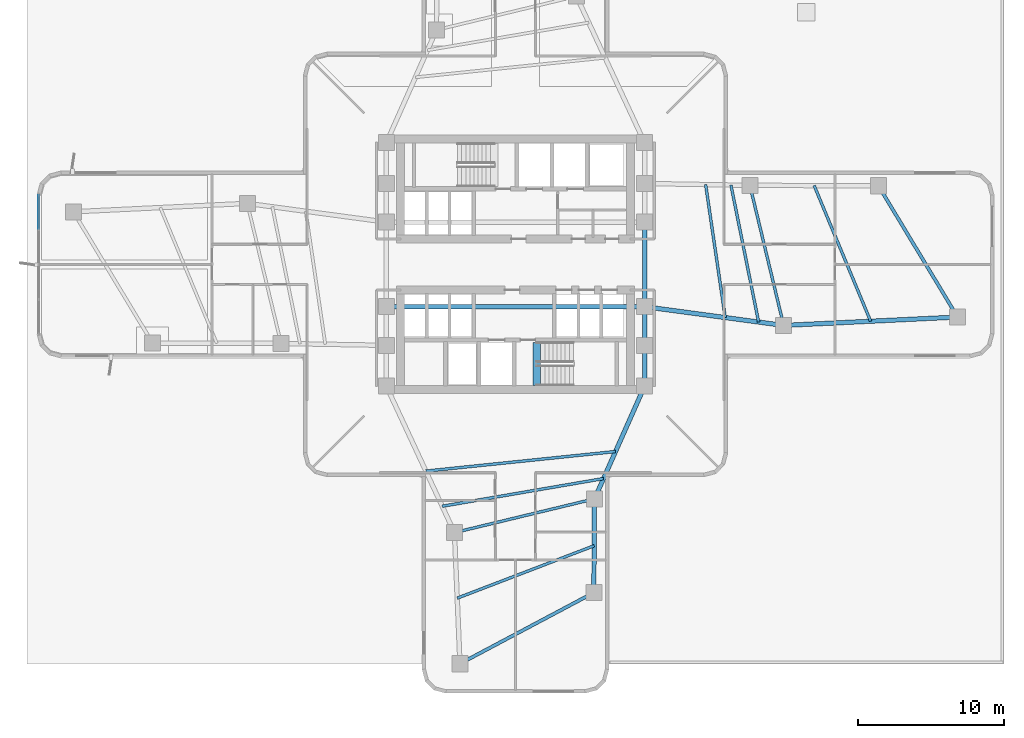
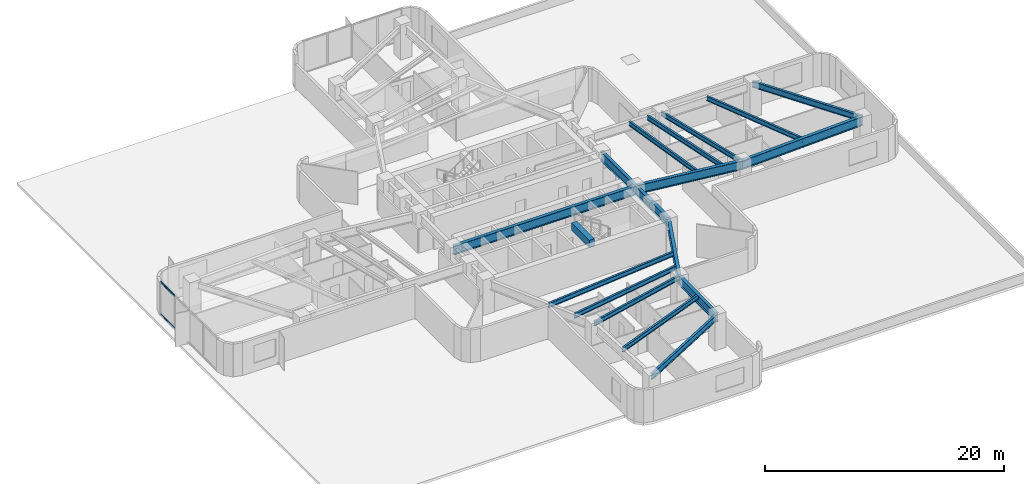
# One storey, part 3 of 14: 19 beams, 2 members, 1 element without a shape of its own.
"""IFC4 building model written with IfcOpenShell, lengths in metres."""

from ifc_helpers import new_model, si_unit, direction, frame, origin, origin_2d, place, context, subcontext, project, spatial, rectangle, i_section, extrude, material, layer, layer_set, material_profile, profile_set, type_object, element, aggregate, save


model = new_model("IFC4")

# Units and contexts
model_context = context("Model", 3, precision=1e-05, world=origin(), true_north=direction((0.0, 1.0)))
body_context = subcontext(model_context, "Body", "Model", "MODEL_VIEW")
ifc_project = project(units=[si_unit("LENGTHUNIT", "METRE"), si_unit("AREAUNIT", "SQUARE_METRE"), si_unit("VOLUMEUNIT", "CUBIC_METRE"), si_unit("PLANEANGLEUNIT", "RADIAN"), si_unit("MASSUNIT", "GRAM", prefix="KILO")], contexts=[model_context])

# Site, building, storey
site_placement = place(None, origin())
site = spatial("IfcSite", under=ifc_project, at=site_placement, CompositionType="ELEMENT")
building_placement = place(site_placement, origin())
building = spatial("IfcBuilding", under=site, at=building_placement, Name="Solmarez Civic Tower", CompositionType="ELEMENT")
storey_placement = place(building_placement, frame((0.0, 0.0, 24.47998046875)))
storey = spatial("IfcBuildingStorey", under=building, at=storey_placement, Name="L05", CompositionType="ELEMENT", Elevation=24.47998046875)

# Beams
ifc_material_1 = material(Name="Steel S355", Category="steel")
ifc_material_profile_1 = material_profile(ifc_material_1, i_section(OverallWidth=0.19189453125, OverallDepth=0.462890625, WebThickness=0.010498046875, FlangeThickness=0.017578125, at=origin_2d()), Name="W18X60")
ifc_profile_set_1 = profile_set([ifc_material_profile_1], Name="Steel S355")
beam_type_1 = type_object("IfcBeamType", Name="BM-JS-W18X60", PredefinedType="JOIST", material=ifc_profile_set_1)
beam_1_placement = place(storey_placement, frame((18.39111328125, -4.18408203125, 3.10791015625), z_axis=(-0.234328919867, 0.97215737271, 0.0), x_axis=(-0.97215737271, -0.234328919867, 0.0)))
element("IfcBeam", 1, at=beam_1_placement, inside=storey, type_object=beam_type_1, Name="L05 Secondary Floor Joist BM-L05-EA-T1", PredefinedType="JOIST", context=body_context, shape_type="SweptSolid", body=[
    extrude(i_section(OverallWidth=0.19189453125, OverallDepth=0.462890625, WebThickness=0.010498046875, FlangeThickness=0.017578125, at=origin_2d()), origin(), (0.0, 0.0, 1.0), 9.880126953125),
])
beam_2_placement = place(storey_placement, frame((24.35498046875, -3.89697265625, 3.10791015625), z_axis=(-0.384310898391, 0.923203733408, 0.0), x_axis=(-0.923203733408, -0.384310898391, 0.0)))
element("IfcBeam", 2, at=beam_2_placement, inside=storey, type_object=beam_type_1, Name="L05 Secondary Floor Joist JS-L05-EA-M2", PredefinedType="JOIST", context=body_context, shape_type="SweptSolid", body=[
    extrude(i_section(OverallWidth=0.19189453125, OverallDepth=0.462890625, WebThickness=0.010498046875, FlangeThickness=0.017578125, at=origin_2d()), origin(), (0.0, 0.0, 1.0), 10.077880859375),
])
beam_3_placement = place(storey_placement, frame((14.384033203125, -3.64501953125, 3.10791015625), z_axis=(-0.145687649447, 0.989330636743, 0.0), x_axis=(-0.989330636743, -0.145687649447, 0.0)))
element("IfcBeam", 3, at=beam_3_placement, inside=storey, type_object=beam_type_1, Name="L05 Secondary Floor Joist JS-L05-EA-M11", PredefinedType="JOIST", context=body_context, shape_type="SweptSolid", body=[
    extrude(i_section(OverallWidth=0.19189453125, OverallDepth=0.462890625, WebThickness=0.010498046875, FlangeThickness=0.017578125, at=origin_2d()), origin(), (0.0, 0.0, 1.0), 9.218505859375),
])
beam_4_placement = place(storey_placement, frame((16.674072265625, -3.952880859375, 3.10791015625), z_axis=(-0.198099134772, 0.980181989634, 0.0), x_axis=(-0.980181989634, -0.198099134772, 0.0)))
element("IfcBeam", 4, at=beam_4_placement, inside=storey, type_object=beam_type_1, Name="L05 Secondary Floor Joist JS-L05-EA-M12", PredefinedType="JOIST", context=body_context, shape_type="SweptSolid", body=[
    extrude(i_section(OverallWidth=0.19189453125, OverallDepth=0.462890625, WebThickness=0.010498046875, FlangeThickness=0.017578125, at=origin_2d()), origin(), (0.0, 0.0, 1.0), 9.5869140625),
])
beam_5_placement = place(storey_placement, frame((-4.18408203125, -18.39111328125, 3.10791015625), z_axis=(0.97215737271, 0.234328919867, 0.0), x_axis=(-0.234328919867, 0.97215737271, 0.0)))
element("IfcBeam", 5, at=beam_5_placement, inside=storey, type_object=beam_type_1, Name="L05 Secondary Floor Joist BM-L05-SA-T1", PredefinedType="JOIST", context=body_context, shape_type="SweptSolid", body=[
    extrude(i_section(OverallWidth=0.19189453125, OverallDepth=0.462890625, WebThickness=0.010498046875, FlangeThickness=0.017578125, at=origin_2d()), origin(), (0.0, 0.0, 1.0), 9.880126953125),
])
beam_6_placement = place(storey_placement, frame((-3.9951171875, -22.886962890625, 3.10791015625), z_axis=(0.933878315551, 0.357590955903, 0.0), x_axis=(-0.357590955903, 0.933878315551, 0.0)))
element("IfcBeam", 6, at=beam_6_placement, inside=storey, type_object=beam_type_1, Name="L05 Secondary Floor Joist JS-L05-SA-M2", PredefinedType="JOIST", context=body_context, shape_type="SweptSolid", body=[
    extrude(i_section(OverallWidth=0.19189453125, OverallDepth=0.462890625, WebThickness=0.010498046875, FlangeThickness=0.017578125, at=origin_2d()), origin(), (0.0, 0.0, 1.0), 10.05615234375),
])
beam_7_placement = place(storey_placement, frame((-6.14404296875, -14.174072265625, 3.10791015625), z_axis=(0.9947100999, 0.102722038325, 0.0), x_axis=(-0.102722038325, 0.9947100999, 0.0)))
element("IfcBeam", 7, at=beam_7_placement, inside=storey, type_object=beam_type_1, Name="L05 Secondary Floor Joist JS-L05-SA-M11", PredefinedType="JOIST", context=body_context, shape_type="SweptSolid", body=[
    extrude(i_section(OverallWidth=0.19189453125, OverallDepth=0.462890625, WebThickness=0.010498046875, FlangeThickness=0.017578125, at=origin_2d()), origin(), (0.0, 0.0, 1.0), 13.07421875),
])
beam_8_placement = place(storey_placement, frame((-5.02392578125, -16.583984375, 3.10791015625), z_axis=(0.985583934907, 0.169187195889, 0.0), x_axis=(-0.169187195889, 0.985583934907, 0.0)))
element("IfcBeam", 8, at=beam_8_placement, inside=storey, type_object=beam_type_1, Name="L05 Secondary Floor Joist JS-L05-SA-M12", PredefinedType="JOIST", context=body_context, shape_type="SweptSolid", body=[
    extrude(i_section(OverallWidth=0.19189453125, OverallDepth=0.462890625, WebThickness=0.010498046875, FlangeThickness=0.017578125, at=origin_2d()), origin(), (0.0, 0.0, 1.0), 11.223876953125),
])
ifc_material_2 = material(Name="Concrete C50/60", Category="concrete")
ifc_material_profile_2 = material_profile(ifc_material_2, rectangle(XDim=0.5, YDim=0.75, at=origin_2d()), Name="RC500X750")
ifc_profile_set_2 = profile_set([ifc_material_profile_2], Name="Concrete C50/60")
beam_type_2 = type_object("IfcBeamType", Name="BM-PR-RC500X750", PredefinedType="BEAM", material=ifc_profile_set_2)
beam_9_placement = place(storey_placement, frame((1.449951171875, -8.300048828125, 3.23291015625), z_axis=(0.0, 1.0, 0.0), x_axis=(-1.0, 0.0, 0.0)))
element("IfcBeam", 9, at=beam_9_placement, inside=storey, type_object=beam_type_2, Name="L05 South Stair Threshold Beam", PredefinedType="BEAM", context=body_context, shape_type="SweptSolid", body=[
    extrude(rectangle(XDim=0.5, YDim=0.75, at=origin_2d()), origin(), (0.0, 0.0, 1.0), 2.9599609375),
])
ifc_material_profile_3 = material_profile(ifc_material_1, i_section(OverallWidth=0.303955078125, OverallDepth=0.910888671875, WebThickness=0.015869140625, FlangeThickness=0.02392578125, at=origin_2d()), Name="W36X150")
ifc_profile_set_3 = profile_set([ifc_material_profile_3], Name="Steel S355")
beam_type_3 = type_object("IfcBeamType", Name="BM-PR-W36X150", PredefinedType="BEAM", material=ifc_profile_set_3)
beam_10_placement = place(storey_placement, frame((8.85009765625, -2.89990234375, 2.884033203125), z_axis=(0.991063240718, -0.133392851745, 0.0), x_axis=(0.133392851745, 0.991063240718, 0.0)))
element("IfcBeam", 10, at=beam_10_placement, inside=storey, type_object=beam_type_3, Name="L05 Primary Floor Beam BM-L05-EA-R1A", PredefinedType="BEAM", context=body_context, shape_type="SweptSolid", body=[
    extrude(i_section(OverallWidth=0.303955078125, OverallDepth=0.910888671875, WebThickness=0.015869140625, FlangeThickness=0.02392578125, at=origin_2d()), origin(), (0.0, 0.0, 1.0), 9.626953125),
])
beam_11_placement = place(storey_placement, frame((18.39111328125, -4.18408203125, 2.884033203125), z_axis=(0.998839135977, 0.048170327398, 0.0), x_axis=(-0.048170327398, 0.998839135977, 0.0)))
element("IfcBeam", 11, at=beam_11_placement, inside=storey, type_object=beam_type_3, Name="L05 Primary Floor Beam BM-L05-EA-R2A", PredefinedType="BEAM", context=body_context, shape_type="SweptSolid", body=[
    extrude(i_section(OverallWidth=0.303955078125, OverallDepth=0.910888671875, WebThickness=0.015869140625, FlangeThickness=0.02392578125, at=origin_2d()), origin(), (0.0, 0.0, 1.0), 11.94091796875),
])
beam_12_placement = place(storey_placement, frame((8.85009765625, -8.35009765625, 2.884033203125), z_axis=(-0.405693556952, -0.914009156326, 0.0), x_axis=(0.914009156326, -0.405693556952, 0.0)))
element("IfcBeam", 12, at=beam_12_placement, inside=storey, type_object=beam_type_3, Name="L05 Primary Floor Beam BM-L05-SA-R1B", PredefinedType="BEAM", context=body_context, shape_type="SweptSolid", body=[
    extrude(i_section(OverallWidth=0.303955078125, OverallDepth=0.910888671875, WebThickness=0.015869140625, FlangeThickness=0.02392578125, at=origin_2d()), origin(), (0.0, 0.0, 1.0), 8.45263671875),
])
beam_13_placement = place(storey_placement, frame((5.4208984375, -16.075927734375, 2.884033203125), z_axis=(-0.007592219108, -0.999971178689, 0.0), x_axis=(0.999971178689, -0.007592219108, 0.0)))
element("IfcBeam", 13, at=beam_13_placement, inside=storey, type_object=beam_type_3, Name="L05 Primary Floor Beam BM-L05-SA-R2B", PredefinedType="BEAM", context=body_context, shape_type="SweptSolid", body=[
    extrude(i_section(OverallWidth=0.303955078125, OverallDepth=0.910888671875, WebThickness=0.015869140625, FlangeThickness=0.02392578125, at=origin_2d()), origin(), (0.0, 0.0, 1.0), 6.431396484375),
])
ifc_material_profile_4 = material_profile(ifc_material_1, i_section(OverallWidth=0.306884765625, OverallDepth=0.927001953125, WebThickness=0.019287109375, FlangeThickness=0.031982421875, at=origin_2d()), Name="W36X194")
ifc_profile_set_4 = profile_set([ifc_material_profile_4], Name="Steel S355")
beam_type_4 = type_object("IfcBeamType", Name="BM-PR-W36X194", PredefinedType="BEAM", material=ifc_profile_set_4)
beam_14_placement = place(storey_placement, frame((8.85009765625, -8.35009765625, 2.876953125), z_axis=(0.0, 1.0, 0.0), x_axis=(-1.0, 0.0, 0.0)))
element("IfcBeam", 14, at=beam_14_placement, inside=storey, type_object=beam_type_4, Name="L05 Primary Floor Beam BM-L05-HC10-HC5", PredefinedType="BEAM", context=body_context, shape_type="SweptSolid", body=[
    extrude(i_section(OverallWidth=0.306884765625, OverallDepth=0.927001953125, WebThickness=0.019287109375, FlangeThickness=0.031982421875, at=origin_2d()), origin(), (0.0, 0.0, 1.0), 2.800048828125),
])
beam_15_placement = place(storey_placement, frame((8.85009765625, -5.550048828125, 2.876953125), z_axis=(0.0, 1.0, 0.0), x_axis=(-1.0, 0.0, 0.0)))
element("IfcBeam", 15, at=beam_15_placement, inside=storey, type_object=beam_type_4, Name="L05 Primary Floor Beam BM-L05-HC5-HC6", PredefinedType="BEAM", context=body_context, shape_type="SweptSolid", body=[
    extrude(i_section(OverallWidth=0.306884765625, OverallDepth=0.927001953125, WebThickness=0.019287109375, FlangeThickness=0.031982421875, at=origin_2d()), origin(), (0.0, 0.0, 1.0), 2.650146484375),
])
beam_16_placement = place(storey_placement, frame((8.85009765625, -2.89990234375, 2.876953125), z_axis=(0.0, 1.0, 0.0), x_axis=(-1.0, 0.0, 0.0)))
element("IfcBeam", 16, at=beam_16_placement, inside=storey, type_object=beam_type_4, Name="L05 Primary Floor Beam BM-L05-HC6-HC7", PredefinedType="BEAM", context=body_context, shape_type="SweptSolid", body=[
    extrude(i_section(OverallWidth=0.306884765625, OverallDepth=0.927001953125, WebThickness=0.019287109375, FlangeThickness=0.031982421875, at=origin_2d()), origin(), (0.0, 0.0, 1.0), 5.7998046875),
])
beam_17_placement = place(storey_placement, frame((-8.85009765625, -2.89990234375, 2.876953125), z_axis=(1.0, 0.0, 0.0), x_axis=(0.0, 1.0, 0.0)))
element("IfcBeam", 17, at=beam_17_placement, inside=storey, type_object=beam_type_4, Name="L05 Primary Floor Beam BM-L05-HC2-HC6", PredefinedType="BEAM", context=body_context, shape_type="SweptSolid", body=[
    extrude(i_section(OverallWidth=0.306884765625, OverallDepth=0.927001953125, WebThickness=0.019287109375, FlangeThickness=0.031982421875, at=origin_2d()), origin(), (0.0, 0.0, 1.0), 17.7001953125),
])
ifc_material_profile_5 = material_profile(ifc_material_1, i_section(OverallWidth=0.22900390625, OverallDepth=0.612060546875, WebThickness=0.011962890625, FlangeThickness=0.01953125, at=origin_2d()), Name="W24X84")
ifc_profile_set_5 = profile_set([ifc_material_profile_5], Name="Steel S355")
beam_type_5 = type_object("IfcBeamType", Name="BM-SP-W24X84", PredefinedType="SPANDREL", material=ifc_profile_set_5)
beam_18_placement = place(storey_placement, frame((30.318115234375, -3.60888671875, 3.033935546875), z_axis=(-0.516522901024, 0.856273374991, 0.0), x_axis=(-0.856273374991, -0.516522901024, 0.0)))
element("IfcBeam", 18, at=beam_18_placement, inside=storey, type_object=beam_type_5, Name="L05 Perimeter Spandrel Beam BM-L05-EA-T2", PredefinedType="SPANDREL", context=body_context, shape_type="SweptSolid", body=[
    extrude(i_section(OverallWidth=0.22900390625, OverallDepth=0.612060546875, WebThickness=0.011962890625, FlangeThickness=0.01953125, at=origin_2d()), origin(), (0.0, 0.0, 1.0), 10.512939453125),
])
beam_19_placement = place(storey_placement, frame((-3.806884765625, -27.383056640625, 3.033935546875), z_axis=(0.883129404808, 0.469129464394, 0.0), x_axis=(-0.469129464394, 0.883129404808, 0.0)))
element("IfcBeam", 19, at=beam_19_placement, inside=storey, type_object=beam_type_5, Name="L05 Perimeter Spandrel Beam BM-L05-SA-T2", PredefinedType="SPANDREL", context=body_context, shape_type="SweptSolid", body=[
    extrude(i_section(OverallWidth=0.22900390625, OverallDepth=0.612060546875, WebThickness=0.011962890625, FlangeThickness=0.01953125, at=origin_2d()), origin(), (0.0, 0.0, 1.0), 10.3935546875),
])

# Curtain wall, members
ifc_material_3 = material(Name="Bronze Anodised Aluminium EN AW-6063 T6", Category="aluminium")
ifc_layer = layer(ifc_material_3, 0.18505859375)
ifc_layer_set = layer_set([ifc_layer], Name="Bronze Anodised Aluminium EN AW-6063 T6")
curtain_wall_type = type_object("IfcCurtainWallType", Name="CW-SYS-2", PredefinedType="NOTDEFINED", material=ifc_layer_set)
curtain_wall_placement = place(storey_placement, origin())
curtain_wall = element("IfcCurtainWall", 20, at=curtain_wall_placement, inside=storey, type_object=curtain_wall_type, Name="L05 Stick-Built Curtain Wall 1", PredefinedType="NOTDEFINED")
ifc_material_profile_6 = material_profile(ifc_material_3, rectangle(XDim=0.06494140625, YDim=0.125, at=origin_2d()), Name="CWT-65X125")
ifc_profile_set_6 = profile_set([ifc_material_profile_6], Name="Bronze Anodised Aluminium EN AW-6063 T6")
member_type = type_object("IfcMemberType", Name="CWT-TYPE-2", PredefinedType="USERDEFINED", material=ifc_profile_set_6)
member_1_placement = place(storey_placement, frame((-32.679931640625, 2.439453125, 0.032470703125), z_axis=(0.0, 1.0, 0.0), x_axis=(-1.0, 0.0, 0.0)))
member_1 = element("IfcMember", 21, at=member_1_placement, type_object=member_type, Name="CWS2 transom 4.1", ObjectType="TRANSOM", PredefinedType="USERDEFINED", context=body_context, shape_type="SweptSolid", body=[
    extrude(rectangle(XDim=0.06494140625, YDim=0.125, at=origin_2d()), origin(), (0.0, 0.0, 1.0), 2.299560546875),
])
member_2_placement = place(storey_placement, frame((-32.679931640625, 2.439453125, 3.3076171875), z_axis=(0.0, 1.0, 0.0), x_axis=(-1.0, 0.0, 0.0)))
member_2 = element("IfcMember", 22, at=member_2_placement, type_object=member_type, Name="CWS2 transom 4.2", ObjectType="TRANSOM", PredefinedType="USERDEFINED", context=body_context, shape_type="SweptSolid", body=[
    extrude(rectangle(XDim=0.06494140625, YDim=0.125, at=origin_2d()), origin(), (0.0, 0.0, 1.0), 2.299560546875),
])
aggregate(curtain_wall, [member_1, member_2])

save(model, "model.ifc")
